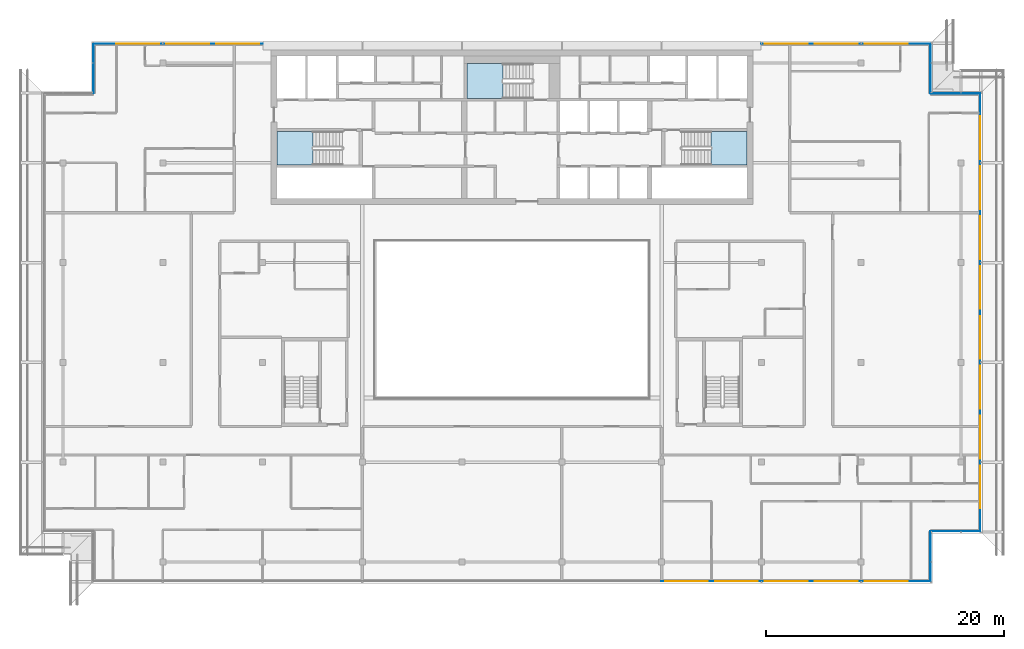
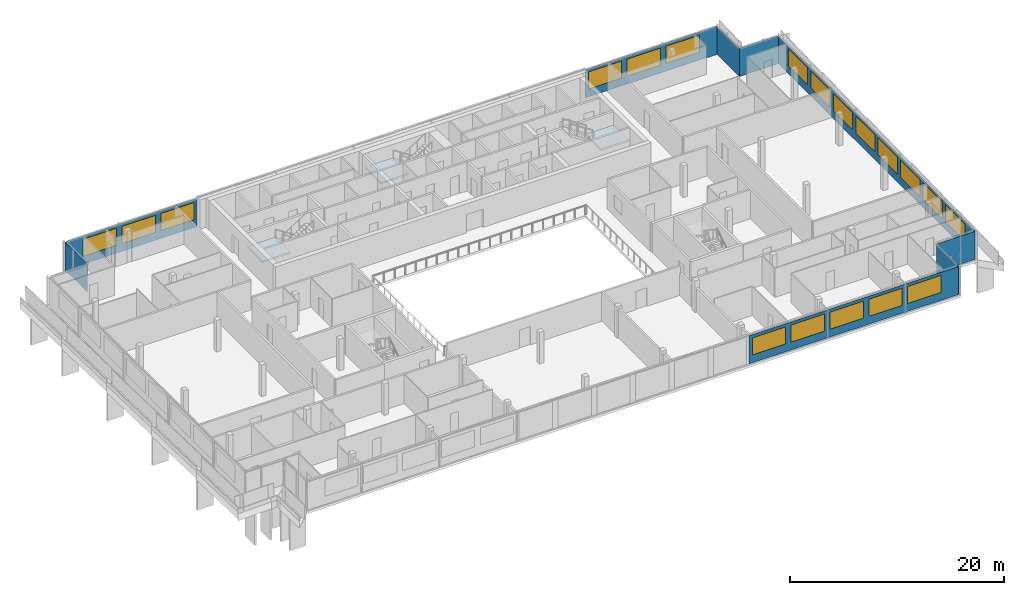
# One storey, part 15 of 27: 19 windows, 9 plates, 3 slabs, 19 openings, 11 elements without a shape of their own.
"""IFC4 building model written with IfcOpenShell, lengths in metres."""

from ifc_helpers import new_model, si_unit, direction, frame, frame_2d, origin, place, context, subcontext, project, spatial, polyline, rectangle, outline, extrude, material, layer, layer_set, type_object, element, fill, aggregate, save


model = new_model("IFC4")

# Units and contexts
model_context = context("Model", 3, precision=1e-05, world=origin(), true_north=direction((0.0, 1.0)))
body_context = subcontext(model_context, "Body", "Model", "MODEL_VIEW")
ifc_project = project(units=[si_unit("LENGTHUNIT", "METRE"), si_unit("AREAUNIT", "SQUARE_METRE"), si_unit("VOLUMEUNIT", "CUBIC_METRE"), si_unit("PLANEANGLEUNIT", "RADIAN"), si_unit("MASSUNIT", "GRAM", prefix="KILO")], contexts=[model_context])

# Site, building, storey
site_placement = place(None, origin())
site = spatial("IfcSite", under=ifc_project, at=site_placement, CompositionType="ELEMENT")
building_placement = place(site_placement, origin())
building = spatial("IfcBuilding", under=site, at=building_placement, Name="Saffron Gate Tower", CompositionType="ELEMENT")
storey_placement = place(building_placement, frame((0.0, 0.0, 267.14990234375)))
storey = spatial("IfcBuildingStorey", under=building, at=storey_placement, Name="L64", CompositionType="ELEMENT", Elevation=267.14990234375)

# Curtain wall, plate, openings, windows
ifc_material_1 = material(Name="Aluminium, bronze anodised", Category="aluminium")
curtain_wall_type_1 = type_object("IfcCurtainWallType", Name="CWS1 curtain wall front facade", PredefinedType="NOTDEFINED", material=ifc_material_1)
curtain_wall_1_placement = place(storey_placement, origin())
curtain_wall_1 = element("IfcCurtainWall", 1, at=curtain_wall_1_placement, inside=storey, type_object=curtain_wall_type_1, Name="CWS1 run 1", PredefinedType="NOTDEFINED")
ifc_material_2 = material(Name="Fritted bronze-tinted laminated glass", Category="glass")
ifc_layer_1 = layer(ifc_material_2, 0.028076171875)
ifc_layer_set_1 = layer_set([ifc_layer_1], Name="CWS1 fixed glass")
plate_type_1 = type_object("IfcPlateType", Name="CWS1 fixed glass", PredefinedType="CURTAIN_PANEL", material=ifc_layer_set_1)
plate_1_placement = place(storey_placement, frame((100.169921875, 30.174072265625, 0.0), z_axis=(0.0, 0.0, 1.0), x_axis=(1.0, 0.0, 0.0)))
plate_1 = element("IfcPlate", 2, at=plate_1_placement, type_object=plate_type_1, Name="CWS1 glass panel", PredefinedType="CURTAIN_PANEL", context=body_context, shape_type="SweptSolid", body=[
    extrude(rectangle(XDim=22.64208984375, YDim=0.028076171875, at=frame_2d((11.321044921875, 0.0))), origin(), (0.0, 0.0, 1.0), 3.2001953125),
])
opening_1_placement = place(plate_1_placement, frame((0.330078125, 0.0, 0.89990234375)))
opening_1 = element("IfcOpeningElement", 3, at=opening_1_placement, cuts=plate_1, Name="Opening W1", PredefinedType="OPENING", context=body_context, shape_type="SweptSolid", body=[
    extrude(rectangle(XDim=3.60009765625, YDim=1.949951171875, at=frame_2d((1.800048828125, 0.97509765625))), frame((0.0, 0.02392578125, 0.0), z_axis=(0.0, -1.0, 0.0), x_axis=(1.0, 0.0, 0.0)), (0.0, 0.0, 1.0), 0.048095703125),
])
opening_2_placement = place(plate_1_placement, frame((4.530029296875, 0.0, 0.89990234375)))
opening_2 = element("IfcOpeningElement", 4, at=opening_2_placement, cuts=plate_1, Name="Opening W1", PredefinedType="OPENING", context=body_context, shape_type="SweptSolid", body=[
    extrude(rectangle(XDim=3.60009765625, YDim=1.949951171875, at=frame_2d((1.800048828125, 0.97509765625))), frame((0.0, 0.02392578125, 0.0), z_axis=(0.0, -1.0, 0.0), x_axis=(1.0, 0.0, 0.0)), (0.0, 0.0, 1.0), 0.048095703125),
])
opening_3_placement = place(plate_1_placement, frame((8.72998046875, 0.0, 0.89990234375)))
opening_3 = element("IfcOpeningElement", 5, at=opening_3_placement, cuts=plate_1, Name="Opening W1", PredefinedType="OPENING", context=body_context, shape_type="SweptSolid", body=[
    extrude(rectangle(XDim=3.60009765625, YDim=1.949951171875, at=frame_2d((1.800048828125, 0.97509765625))), frame((0.0, 0.02392578125, 0.0), z_axis=(0.0, -1.0, 0.0), x_axis=(1.0, 0.0, 0.0)), (0.0, 0.0, 1.0), 0.048095703125),
])
opening_4_placement = place(plate_1_placement, frame((12.929931640625, 0.0, 0.89990234375)))
opening_4 = element("IfcOpeningElement", 6, at=opening_4_placement, cuts=plate_1, Name="Opening W1", PredefinedType="OPENING", context=body_context, shape_type="SweptSolid", body=[
    extrude(rectangle(XDim=3.60009765625, YDim=1.949951171875, at=frame_2d((1.800048828125, 0.97509765625))), frame((0.0, 0.02392578125, 0.0), z_axis=(0.0, -1.0, 0.0), x_axis=(1.0, 0.0, 0.0)), (0.0, 0.0, 1.0), 0.048095703125),
])
opening_5_placement = place(plate_1_placement, frame((17.1298828125, 0.0, 0.89990234375)))
opening_5 = element("IfcOpeningElement", 7, at=opening_5_placement, cuts=plate_1, Name="Opening W1", PredefinedType="OPENING", context=body_context, shape_type="SweptSolid", body=[
    extrude(rectangle(XDim=3.60009765625, YDim=1.949951171875, at=frame_2d((1.800048828125, 0.97509765625))), frame((0.0, 0.02392578125, 0.0), z_axis=(0.0, -1.0, 0.0), x_axis=(1.0, 0.0, 0.0)), (0.0, 0.0, 1.0), 0.048095703125),
])
ifc_material_3 = material(Name="Fritted bronze-tinted laminated glass in bronze frame", Category="glass")
ifc_layer_2 = layer(ifc_material_3, 0.06005859375)
ifc_layer_set_2 = layer_set([ifc_layer_2], Name="W1 operable panel 3600x1950")
window_type = type_object("IfcWindowType", Name="W1 operable panel 3600x1950", PartitioningType="DOUBLE_PANEL_HORIZONTAL", PredefinedType="WINDOW", material=ifc_layer_set_2)
window_1_placement = place(opening_1_placement, origin())
window_1 = element("IfcWindow", 8, at=window_1_placement, type_object=window_type, Name="W1 operable panel", OverallHeight=1.949951171875, OverallWidth=3.60009765625, PartitioningType="SINGLE_PANEL", PredefinedType="WINDOW", context=body_context, shape_type="SweptSolid", body=[
    extrude(rectangle(XDim=3.60009765625, YDim=1.949951171875, at=frame_2d((1.800048828125, 0.97509765625))), frame((0.0, 0.013671875, 0.0), z_axis=(0.0, -1.0, 0.0), x_axis=(1.0, 0.0, 0.0)), (0.0, 0.0, 1.0), 0.027587890625),
])
fill(opening_1, window_1)
window_2_placement = place(opening_2_placement, origin())
window_2 = element("IfcWindow", 9, at=window_2_placement, type_object=window_type, Name="W1 operable panel", OverallHeight=1.949951171875, OverallWidth=3.60009765625, PartitioningType="SINGLE_PANEL", PredefinedType="WINDOW", context=body_context, shape_type="SweptSolid", body=[
    extrude(rectangle(XDim=3.60009765625, YDim=1.949951171875, at=frame_2d((1.800048828125, 0.97509765625))), frame((0.0, 0.013671875, 0.0), z_axis=(0.0, -1.0, 0.0), x_axis=(1.0, 0.0, 0.0)), (0.0, 0.0, 1.0), 0.027587890625),
])
fill(opening_2, window_2)
window_3_placement = place(opening_3_placement, origin())
window_3 = element("IfcWindow", 10, at=window_3_placement, type_object=window_type, Name="W1 operable panel", OverallHeight=1.949951171875, OverallWidth=3.60009765625, PartitioningType="SINGLE_PANEL", PredefinedType="WINDOW", context=body_context, shape_type="SweptSolid", body=[
    extrude(rectangle(XDim=3.60009765625, YDim=1.949951171875, at=frame_2d((1.800048828125, 0.97509765625))), frame((0.0, 0.013671875, 0.0), z_axis=(0.0, -1.0, 0.0), x_axis=(1.0, 0.0, 0.0)), (0.0, 0.0, 1.0), 0.027587890625),
])
fill(opening_3, window_3)
window_4_placement = place(opening_4_placement, origin())
window_4 = element("IfcWindow", 11, at=window_4_placement, type_object=window_type, Name="W1 operable panel", OverallHeight=1.949951171875, OverallWidth=3.60009765625, PartitioningType="SINGLE_PANEL", PredefinedType="WINDOW", context=body_context, shape_type="SweptSolid", body=[
    extrude(rectangle(XDim=3.60009765625, YDim=1.949951171875, at=frame_2d((1.800048828125, 0.97509765625))), frame((0.0, 0.013671875, 0.0), z_axis=(0.0, -1.0, 0.0), x_axis=(1.0, 0.0, 0.0)), (0.0, 0.0, 1.0), 0.027587890625),
])
fill(opening_4, window_4)
window_5_placement = place(opening_5_placement, origin())
window_5 = element("IfcWindow", 12, at=window_5_placement, type_object=window_type, Name="W1 operable panel", OverallHeight=1.949951171875, OverallWidth=3.60009765625, PartitioningType="SINGLE_PANEL", PredefinedType="WINDOW", context=body_context, shape_type="SweptSolid", body=[
    extrude(rectangle(XDim=3.60009765625, YDim=1.949951171875, at=frame_2d((1.800048828125, 0.97509765625))), frame((0.0, 0.013671875, 0.0), z_axis=(0.0, -1.0, 0.0), x_axis=(1.0, 0.0, 0.0)), (0.0, 0.0, 1.0), 0.027587890625),
])
fill(opening_5, window_5)
aggregate(curtain_wall_1, [plate_1, window_1, window_2, window_3, window_4, window_5])

curtain_wall_type_2 = type_object("IfcCurtainWallType", Name="CWS2 curtain wall side facades", PredefinedType="NOTDEFINED", material=ifc_material_1)
curtain_wall_2_placement = place(storey_placement, origin())
curtain_wall_2 = element("IfcCurtainWall", 13, at=curtain_wall_2_placement, inside=storey, type_object=curtain_wall_type_2, Name="CWS2 run 4", PredefinedType="NOTDEFINED")
ifc_layer_3 = layer(ifc_material_2, 0.028076171875)
ifc_layer_set_3 = layer_set([ifc_layer_3], Name="CWS2 fixed glass")
plate_type_2 = type_object("IfcPlateType", Name="CWS2 fixed glass", PredefinedType="CURTAIN_PANEL", material=ifc_layer_set_3)
plate_2_placement = place(storey_placement, frame((127.02587890625, 34.387939453125, 0.0), z_axis=(0.0, 0.0, 1.0), x_axis=(0.0, 1.0, 0.0)))
plate_2 = element("IfcPlate", 14, at=plate_2_placement, type_object=plate_type_2, Name="CWS2 glass panel", PredefinedType="CURTAIN_PANEL", context=body_context, shape_type="SweptSolid", body=[
    extrude(rectangle(XDim=36.823974609375, YDim=0.028076171875, at=frame_2d((18.412109375, 0.0))), origin(), (0.0, 0.0, 1.0), 3.2001953125),
])
opening_6_placement = place(plate_2_placement, frame((1.912109375, 0.0, 0.89990234375)))
opening_6 = element("IfcOpeningElement", 15, at=opening_6_placement, cuts=plate_2, Name="Opening W1", PredefinedType="OPENING", context=body_context, shape_type="SweptSolid", body=[
    extrude(rectangle(XDim=3.60009765625, YDim=1.949951171875, at=frame_2d((1.800048828125, 0.97509765625))), frame((0.0, 0.02392578125, 0.0), z_axis=(0.0, -1.0, 0.0), x_axis=(1.0, 0.0, 0.0)), (0.0, 0.0, 1.0), 0.048095703125),
])
opening_7_placement = place(plate_2_placement, frame((6.112060546875, 0.0, 0.89990234375)))
opening_7 = element("IfcOpeningElement", 16, at=opening_7_placement, cuts=plate_2, Name="Opening W1", PredefinedType="OPENING", context=body_context, shape_type="SweptSolid", body=[
    extrude(rectangle(XDim=3.60009765625, YDim=1.949951171875, at=frame_2d((1.800048828125, 0.97509765625))), frame((0.0, 0.02392578125, 0.0), z_axis=(0.0, -1.0, 0.0), x_axis=(1.0, 0.0, 0.0)), (0.0, 0.0, 1.0), 0.048095703125),
])
opening_8_placement = place(plate_2_placement, frame((10.31201171875, 0.0, 0.89990234375)))
opening_8 = element("IfcOpeningElement", 17, at=opening_8_placement, cuts=plate_2, Name="Opening W1", PredefinedType="OPENING", context=body_context, shape_type="SweptSolid", body=[
    extrude(rectangle(XDim=3.60009765625, YDim=1.949951171875, at=frame_2d((1.800048828125, 0.97509765625))), frame((0.0, 0.02392578125, 0.0), z_axis=(0.0, -1.0, 0.0), x_axis=(1.0, 0.0, 0.0)), (0.0, 0.0, 1.0), 0.048095703125),
])
opening_9_placement = place(plate_2_placement, frame((14.511962890625, 0.0, 0.89990234375)))
opening_9 = element("IfcOpeningElement", 18, at=opening_9_placement, cuts=plate_2, Name="Opening W1", PredefinedType="OPENING", context=body_context, shape_type="SweptSolid", body=[
    extrude(rectangle(XDim=3.60009765625, YDim=1.949951171875, at=frame_2d((1.800048828125, 0.97509765625))), frame((0.0, 0.02392578125, 0.0), z_axis=(0.0, -1.0, 0.0), x_axis=(1.0, 0.0, 0.0)), (0.0, 0.0, 1.0), 0.048095703125),
])
opening_10_placement = place(plate_2_placement, frame((18.7119140625, 0.0, 0.89990234375)))
opening_10 = element("IfcOpeningElement", 19, at=opening_10_placement, cuts=plate_2, Name="Opening W1", PredefinedType="OPENING", context=body_context, shape_type="SweptSolid", body=[
    extrude(rectangle(XDim=3.60009765625, YDim=1.949951171875, at=frame_2d((1.800048828125, 0.97509765625))), frame((0.0, 0.02392578125, 0.0), z_axis=(0.0, -1.0, 0.0), x_axis=(1.0, 0.0, 0.0)), (0.0, 0.0, 1.0), 0.048095703125),
])
opening_11_placement = place(plate_2_placement, frame((22.912109375, 0.0, 0.89990234375)))
opening_11 = element("IfcOpeningElement", 20, at=opening_11_placement, cuts=plate_2, Name="Opening W1", PredefinedType="OPENING", context=body_context, shape_type="SweptSolid", body=[
    extrude(rectangle(XDim=3.60009765625, YDim=1.949951171875, at=frame_2d((1.800048828125, 0.97509765625))), frame((0.0, 0.02392578125, 0.0), z_axis=(0.0, -1.0, 0.0), x_axis=(1.0, 0.0, 0.0)), (0.0, 0.0, 1.0), 0.048095703125),
])
opening_12_placement = place(plate_2_placement, frame((27.112060546875, 0.0, 0.89990234375)))
opening_12 = element("IfcOpeningElement", 21, at=opening_12_placement, cuts=plate_2, Name="Opening W1", PredefinedType="OPENING", context=body_context, shape_type="SweptSolid", body=[
    extrude(rectangle(XDim=3.60009765625, YDim=1.949951171875, at=frame_2d((1.800048828125, 0.97509765625))), frame((0.0, 0.02392578125, 0.0), z_axis=(0.0, -1.0, 0.0), x_axis=(1.0, 0.0, 0.0)), (0.0, 0.0, 1.0), 0.048095703125),
])
opening_13_placement = place(plate_2_placement, frame((31.31201171875, 0.0, 0.89990234375)))
opening_13 = element("IfcOpeningElement", 22, at=opening_13_placement, cuts=plate_2, Name="Opening W1", PredefinedType="OPENING", context=body_context, shape_type="SweptSolid", body=[
    extrude(rectangle(XDim=3.60009765625, YDim=1.949951171875, at=frame_2d((1.800048828125, 0.97509765625))), frame((0.0, 0.02392578125, 0.0), z_axis=(0.0, -1.0, 0.0), x_axis=(1.0, 0.0, 0.0)), (0.0, 0.0, 1.0), 0.048095703125),
])
window_6_placement = place(opening_6_placement, origin())
window_6 = element("IfcWindow", 23, at=window_6_placement, type_object=window_type, Name="W1 operable panel", OverallHeight=1.949951171875, OverallWidth=3.60009765625, PartitioningType="SINGLE_PANEL", PredefinedType="WINDOW", context=body_context, shape_type="SweptSolid", body=[
    extrude(rectangle(XDim=3.60009765625, YDim=1.949951171875, at=frame_2d((1.800048828125, 0.97509765625))), frame((0.0, 0.013671875, 0.0), z_axis=(0.0, -1.0, 0.0), x_axis=(1.0, 0.0, 0.0)), (0.0, 0.0, 1.0), 0.027587890625),
])
fill(opening_6, window_6)
window_7_placement = place(opening_7_placement, origin())
window_7 = element("IfcWindow", 24, at=window_7_placement, type_object=window_type, Name="W1 operable panel", OverallHeight=1.949951171875, OverallWidth=3.60009765625, PartitioningType="SINGLE_PANEL", PredefinedType="WINDOW", context=body_context, shape_type="SweptSolid", body=[
    extrude(rectangle(XDim=3.60009765625, YDim=1.949951171875, at=frame_2d((1.800048828125, 0.97509765625))), frame((0.0, 0.013671875, 0.0), z_axis=(0.0, -1.0, 0.0), x_axis=(1.0, 0.0, 0.0)), (0.0, 0.0, 1.0), 0.027587890625),
])
fill(opening_7, window_7)
window_8_placement = place(opening_8_placement, origin())
window_8 = element("IfcWindow", 25, at=window_8_placement, type_object=window_type, Name="W1 operable panel", OverallHeight=1.949951171875, OverallWidth=3.60009765625, PartitioningType="SINGLE_PANEL", PredefinedType="WINDOW", context=body_context, shape_type="SweptSolid", body=[
    extrude(rectangle(XDim=3.60009765625, YDim=1.949951171875, at=frame_2d((1.800048828125, 0.97509765625))), frame((0.0, 0.013671875, 0.0), z_axis=(0.0, -1.0, 0.0), x_axis=(1.0, 0.0, 0.0)), (0.0, 0.0, 1.0), 0.027587890625),
])
fill(opening_8, window_8)
window_9_placement = place(opening_9_placement, origin())
window_9 = element("IfcWindow", 26, at=window_9_placement, type_object=window_type, Name="W1 operable panel", OverallHeight=1.949951171875, OverallWidth=3.60009765625, PartitioningType="SINGLE_PANEL", PredefinedType="WINDOW", context=body_context, shape_type="SweptSolid", body=[
    extrude(rectangle(XDim=3.60009765625, YDim=1.949951171875, at=frame_2d((1.800048828125, 0.97509765625))), frame((0.0, 0.013671875, 0.0), z_axis=(0.0, -1.0, 0.0), x_axis=(1.0, 0.0, 0.0)), (0.0, 0.0, 1.0), 0.027587890625),
])
fill(opening_9, window_9)
window_10_placement = place(opening_10_placement, origin())
window_10 = element("IfcWindow", 27, at=window_10_placement, type_object=window_type, Name="W1 operable panel", OverallHeight=1.949951171875, OverallWidth=3.60009765625, PartitioningType="SINGLE_PANEL", PredefinedType="WINDOW", context=body_context, shape_type="SweptSolid", body=[
    extrude(rectangle(XDim=3.60009765625, YDim=1.949951171875, at=frame_2d((1.800048828125, 0.97509765625))), frame((0.0, 0.013671875, 0.0), z_axis=(0.0, -1.0, 0.0), x_axis=(1.0, 0.0, 0.0)), (0.0, 0.0, 1.0), 0.027587890625),
])
fill(opening_10, window_10)
window_11_placement = place(opening_11_placement, origin())
window_11 = element("IfcWindow", 28, at=window_11_placement, type_object=window_type, Name="W1 operable panel", OverallHeight=1.949951171875, OverallWidth=3.60009765625, PartitioningType="SINGLE_PANEL", PredefinedType="WINDOW", context=body_context, shape_type="SweptSolid", body=[
    extrude(rectangle(XDim=3.60009765625, YDim=1.949951171875, at=frame_2d((1.800048828125, 0.97509765625))), frame((0.0, 0.013671875, 0.0), z_axis=(0.0, -1.0, 0.0), x_axis=(1.0, 0.0, 0.0)), (0.0, 0.0, 1.0), 0.027587890625),
])
fill(opening_11, window_11)
window_12_placement = place(opening_12_placement, origin())
window_12 = element("IfcWindow", 29, at=window_12_placement, type_object=window_type, Name="W1 operable panel", OverallHeight=1.949951171875, OverallWidth=3.60009765625, PartitioningType="SINGLE_PANEL", PredefinedType="WINDOW", context=body_context, shape_type="SweptSolid", body=[
    extrude(rectangle(XDim=3.60009765625, YDim=1.949951171875, at=frame_2d((1.800048828125, 0.97509765625))), frame((0.0, 0.013671875, 0.0), z_axis=(0.0, -1.0, 0.0), x_axis=(1.0, 0.0, 0.0)), (0.0, 0.0, 1.0), 0.027587890625),
])
fill(opening_12, window_12)
window_13_placement = place(opening_13_placement, origin())
window_13 = element("IfcWindow", 30, at=window_13_placement, type_object=window_type, Name="W1 operable panel", OverallHeight=1.949951171875, OverallWidth=3.60009765625, PartitioningType="SINGLE_PANEL", PredefinedType="WINDOW", context=body_context, shape_type="SweptSolid", body=[
    extrude(rectangle(XDim=3.60009765625, YDim=1.949951171875, at=frame_2d((1.800048828125, 0.97509765625))), frame((0.0, 0.013671875, 0.0), z_axis=(0.0, -1.0, 0.0), x_axis=(1.0, 0.0, 0.0)), (0.0, 0.0, 1.0), 0.027587890625),
])
fill(opening_13, window_13)
aggregate(curtain_wall_2, [plate_2, window_6, window_7, window_8, window_9, window_10, window_11, window_12, window_13])

# Curtain wall, plates, openings, windows
curtain_wall_type_3 = type_object("IfcCurtainWallType", Name="CWS3 curtain wall rear facade", PredefinedType="NOTDEFINED", material=ifc_material_1)
curtain_wall_3_placement = place(storey_placement, origin())
curtain_wall_3 = element("IfcCurtainWall", 31, at=curtain_wall_3_placement, inside=storey, type_object=curtain_wall_type_3, Name="CWS3 run 7", PredefinedType="NOTDEFINED")
ifc_material_4 = material(Name="Fritted grey-tinted laminated glass", Category="glass")
ifc_layer_4 = layer(ifc_material_4, 0.028076171875)
ifc_layer_set_4 = layer_set([ifc_layer_4], Name="CWS3 fixed glass")
plate_type_3 = type_object("IfcPlateType", Name="CWS3 fixed glass", PredefinedType="CURTAIN_PANEL", material=ifc_layer_set_4)
plate_3_placement = place(storey_placement, frame((122.81201171875, 75.426025390625, 0.0), z_axis=(0.0, 0.0, 1.0), x_axis=(-1.0, 0.0, 0.0)))
plate_3 = element("IfcPlate", 32, at=plate_3_placement, type_object=plate_type_3, Name="CWS3 glass panel", PredefinedType="CURTAIN_PANEL", context=body_context, shape_type="SweptSolid", body=[
    extrude(rectangle(XDim=14.2470703125, YDim=0.028076171875, at=frame_2d((7.12353515625, 0.0))), origin(), (0.0, 0.0, 1.0), 3.2001953125),
])
opening_14_placement = place(plate_3_placement, frame((1.912109375, 0.0, 0.89990234375)))
opening_14 = element("IfcOpeningElement", 33, at=opening_14_placement, cuts=plate_3, Name="Opening W1", PredefinedType="OPENING", context=body_context, shape_type="SweptSolid", body=[
    extrude(rectangle(XDim=3.60009765625, YDim=1.949951171875, at=frame_2d((1.800048828125, 0.97509765625))), frame((0.0, 0.02392578125, 0.0), z_axis=(0.0, -1.0, 0.0), x_axis=(1.0, 0.0, 0.0)), (0.0, 0.0, 1.0), 0.048095703125),
])
opening_15_placement = place(plate_3_placement, frame((6.112060546875, 0.0, 0.89990234375)))
opening_15 = element("IfcOpeningElement", 34, at=opening_15_placement, cuts=plate_3, Name="Opening W1", PredefinedType="OPENING", context=body_context, shape_type="SweptSolid", body=[
    extrude(rectangle(XDim=3.60009765625, YDim=1.949951171875, at=frame_2d((1.800048828125, 0.97509765625))), frame((0.0, 0.02392578125, 0.0), z_axis=(0.0, -1.0, 0.0), x_axis=(1.0, 0.0, 0.0)), (0.0, 0.0, 1.0), 0.048095703125),
])
opening_16_placement = place(plate_3_placement, frame((10.31201171875, 0.0, 0.89990234375)))
opening_16 = element("IfcOpeningElement", 35, at=opening_16_placement, cuts=plate_3, Name="Opening W1", PredefinedType="OPENING", context=body_context, shape_type="SweptSolid", body=[
    extrude(rectangle(XDim=3.60009765625, YDim=1.949951171875, at=frame_2d((1.800048828125, 0.97509765625))), frame((0.0, 0.02392578125, 0.0), z_axis=(0.0, -1.0, 0.0), x_axis=(1.0, 0.0, 0.0)), (0.0, 0.0, 1.0), 0.048095703125),
])
window_14_placement = place(opening_14_placement, origin())
window_14 = element("IfcWindow", 36, at=window_14_placement, type_object=window_type, Name="W1 operable panel", OverallHeight=1.949951171875, OverallWidth=3.60009765625, PartitioningType="SINGLE_PANEL", PredefinedType="WINDOW", context=body_context, shape_type="SweptSolid", body=[
    extrude(rectangle(XDim=3.60009765625, YDim=1.949951171875, at=frame_2d((1.800048828125, 0.97509765625))), frame((0.0, 0.013671875, 0.0), z_axis=(0.0, -1.0, 0.0), x_axis=(1.0, 0.0, 0.0)), (0.0, 0.0, 1.0), 0.027587890625),
])
fill(opening_14, window_14)
window_15_placement = place(opening_15_placement, origin())
window_15 = element("IfcWindow", 37, at=window_15_placement, type_object=window_type, Name="W1 operable panel", OverallHeight=1.949951171875, OverallWidth=3.60009765625, PartitioningType="SINGLE_PANEL", PredefinedType="WINDOW", context=body_context, shape_type="SweptSolid", body=[
    extrude(rectangle(XDim=3.60009765625, YDim=1.949951171875, at=frame_2d((1.800048828125, 0.97509765625))), frame((0.0, 0.013671875, 0.0), z_axis=(0.0, -1.0, 0.0), x_axis=(1.0, 0.0, 0.0)), (0.0, 0.0, 1.0), 0.027587890625),
])
fill(opening_15, window_15)
window_16_placement = place(opening_16_placement, origin())
window_16 = element("IfcWindow", 38, at=window_16_placement, type_object=window_type, Name="W1 operable panel", OverallHeight=1.949951171875, OverallWidth=3.60009765625, PartitioningType="SINGLE_PANEL", PredefinedType="WINDOW", context=body_context, shape_type="SweptSolid", body=[
    extrude(rectangle(XDim=3.60009765625, YDim=1.949951171875, at=frame_2d((1.800048828125, 0.97509765625))), frame((0.0, 0.013671875, 0.0), z_axis=(0.0, -1.0, 0.0), x_axis=(1.0, 0.0, 0.0)), (0.0, 0.0, 1.0), 0.027587890625),
])
fill(opening_16, window_16)
plate_4_placement = place(storey_placement, frame((66.635009765625, 75.426025390625, 0.0), z_axis=(0.0, 0.0, 1.0), x_axis=(-1.0, 0.0, 0.0)))
plate_4 = element("IfcPlate", 39, at=plate_4_placement, type_object=plate_type_3, Name="CWS3 glass panel", PredefinedType="CURTAIN_PANEL", context=body_context, shape_type="SweptSolid", body=[
    extrude(rectangle(XDim=14.2470703125, YDim=0.028076171875, at=frame_2d((7.12353515625, 0.0))), origin(), (0.0, 0.0, 1.0), 3.2001953125),
])
opening_17_placement = place(plate_4_placement, frame((0.3349609375, 0.0, 0.89990234375)))
opening_17 = element("IfcOpeningElement", 40, at=opening_17_placement, cuts=plate_4, Name="Opening W1", PredefinedType="OPENING", context=body_context, shape_type="SweptSolid", body=[
    extrude(rectangle(XDim=3.60009765625, YDim=1.949951171875, at=frame_2d((1.800048828125, 0.97509765625))), frame((0.0, 0.02392578125, 0.0), z_axis=(0.0, -1.0, 0.0), x_axis=(1.0, 0.0, 0.0)), (0.0, 0.0, 1.0), 0.048095703125),
])
opening_18_placement = place(plate_4_placement, frame((4.534912109375, 0.0, 0.89990234375)))
opening_18 = element("IfcOpeningElement", 41, at=opening_18_placement, cuts=plate_4, Name="Opening W1", PredefinedType="OPENING", context=body_context, shape_type="SweptSolid", body=[
    extrude(rectangle(XDim=3.60009765625, YDim=1.949951171875, at=frame_2d((1.800048828125, 0.97509765625))), frame((0.0, 0.02392578125, 0.0), z_axis=(0.0, -1.0, 0.0), x_axis=(1.0, 0.0, 0.0)), (0.0, 0.0, 1.0), 0.048095703125),
])
opening_19_placement = place(plate_4_placement, frame((8.735107421875, 0.0, 0.89990234375)))
opening_19 = element("IfcOpeningElement", 42, at=opening_19_placement, cuts=plate_4, Name="Opening W1", PredefinedType="OPENING", context=body_context, shape_type="SweptSolid", body=[
    extrude(rectangle(XDim=3.60009765625, YDim=1.949951171875, at=frame_2d((1.800048828125, 0.97509765625))), frame((0.0, 0.02392578125, 0.0), z_axis=(0.0, -1.0, 0.0), x_axis=(1.0, 0.0, 0.0)), (0.0, 0.0, 1.0), 0.048095703125),
])
window_17_placement = place(opening_17_placement, origin())
window_17 = element("IfcWindow", 43, at=window_17_placement, type_object=window_type, Name="W1 operable panel", OverallHeight=1.949951171875, OverallWidth=3.60009765625, PartitioningType="SINGLE_PANEL", PredefinedType="WINDOW", context=body_context, shape_type="SweptSolid", body=[
    extrude(rectangle(XDim=3.60009765625, YDim=1.949951171875, at=frame_2d((1.800048828125, 0.97509765625))), frame((0.0, 0.013671875, 0.0), z_axis=(0.0, -1.0, 0.0), x_axis=(1.0, 0.0, 0.0)), (0.0, 0.0, 1.0), 0.027587890625),
])
fill(opening_17, window_17)
window_18_placement = place(opening_18_placement, origin())
window_18 = element("IfcWindow", 44, at=window_18_placement, type_object=window_type, Name="W1 operable panel", OverallHeight=1.949951171875, OverallWidth=3.60009765625, PartitioningType="SINGLE_PANEL", PredefinedType="WINDOW", context=body_context, shape_type="SweptSolid", body=[
    extrude(rectangle(XDim=3.60009765625, YDim=1.949951171875, at=frame_2d((1.800048828125, 0.97509765625))), frame((0.0, 0.013671875, 0.0), z_axis=(0.0, -1.0, 0.0), x_axis=(1.0, 0.0, 0.0)), (0.0, 0.0, 1.0), 0.027587890625),
])
fill(opening_18, window_18)
window_19_placement = place(opening_19_placement, origin())
window_19 = element("IfcWindow", 45, at=window_19_placement, type_object=window_type, Name="W1 operable panel", OverallHeight=1.949951171875, OverallWidth=3.60009765625, PartitioningType="SINGLE_PANEL", PredefinedType="WINDOW", context=body_context, shape_type="SweptSolid", body=[
    extrude(rectangle(XDim=3.60009765625, YDim=1.949951171875, at=frame_2d((1.800048828125, 0.97509765625))), frame((0.0, 0.013671875, 0.0), z_axis=(0.0, -1.0, 0.0), x_axis=(1.0, 0.0, 0.0)), (0.0, 0.0, 1.0), 0.027587890625),
])
fill(opening_19, window_19)
aggregate(curtain_wall_3, [plate_3, plate_4, window_14, window_15, window_16, window_17, window_18, window_19])

# Curtain wall, plate
curtain_wall_type_4 = type_object("IfcCurtainWallType", Name="CWS4 curtain wall corner returns", PredefinedType="NOTDEFINED", material=ifc_material_1)
curtain_wall_4_placement = place(storey_placement, origin())
curtain_wall_4 = element("IfcCurtainWall", 46, at=curtain_wall_4_placement, inside=storey, type_object=curtain_wall_type_4, Name="CWS4 run 2", PredefinedType="NOTDEFINED")
ifc_layer_5 = layer(ifc_material_2, 0.028076171875)
ifc_layer_set_5 = layer_set([ifc_layer_5], Name="CWS4 fixed glass")
plate_type_4 = type_object("IfcPlateType", Name="CWS4 fixed glass", PredefinedType="CURTAIN_PANEL", material=ifc_layer_set_5)
plate_5_placement = place(storey_placement, frame((122.825927734375, 30.18798828125, 0.0), z_axis=(0.0, 0.0, 1.0), x_axis=(0.0, 1.0, 0.0)))
plate_5 = element("IfcPlate", 47, at=plate_5_placement, type_object=plate_type_4, Name="CWS4 glass panel", PredefinedType="CURTAIN_PANEL", context=body_context, shape_type="SweptSolid", body=[
    extrude(rectangle(XDim=4.172119140625, YDim=0.028076171875, at=frame_2d((2.0859375, 0.0))), origin(), (0.0, 0.0, 1.0), 3.2001953125),
])
aggregate(curtain_wall_4, [plate_5])

curtain_wall_5_placement = place(storey_placement, origin())
curtain_wall_5 = element("IfcCurtainWall", 48, at=curtain_wall_5_placement, inside=storey, type_object=curtain_wall_type_4, Name="CWS4 run 3", PredefinedType="NOTDEFINED")
plate_6_placement = place(storey_placement, frame((122.840087890625, 34.3740234375, 0.0), z_axis=(0.0, 0.0, 1.0), x_axis=(1.0, 0.0, 0.0)))
plate_6 = element("IfcPlate", 49, at=plate_6_placement, type_object=plate_type_4, Name="CWS4 glass panel", PredefinedType="CURTAIN_PANEL", context=body_context, shape_type="SweptSolid", body=[
    extrude(rectangle(XDim=4.171875, YDim=0.028076171875, at=frame_2d((2.0859375, 0.0))), origin(), (0.0, 0.0, 1.0), 3.2001953125),
])
aggregate(curtain_wall_5, [plate_6])

curtain_wall_6_placement = place(storey_placement, origin())
curtain_wall_6 = element("IfcCurtainWall", 50, at=curtain_wall_6_placement, inside=storey, type_object=curtain_wall_type_4, Name="CWS4 run 5", PredefinedType="NOTDEFINED")
plate_7_placement = place(storey_placement, frame((127.011962890625, 71.22607421875, 0.0), z_axis=(0.0, 0.0, 1.0), x_axis=(-1.0, 0.0, 0.0)))
plate_7 = element("IfcPlate", 51, at=plate_7_placement, type_object=plate_type_4, Name="CWS4 glass panel", PredefinedType="CURTAIN_PANEL", context=body_context, shape_type="SweptSolid", body=[
    extrude(rectangle(XDim=4.171875, YDim=0.028076171875, at=frame_2d((2.0859375, 0.0))), origin(), (0.0, 0.0, 1.0), 3.2001953125),
])
aggregate(curtain_wall_6, [plate_7])

curtain_wall_7_placement = place(storey_placement, origin())
curtain_wall_7 = element("IfcCurtainWall", 52, at=curtain_wall_7_placement, inside=storey, type_object=curtain_wall_type_4, Name="CWS4 run 6", PredefinedType="NOTDEFINED")
plate_8_placement = place(storey_placement, frame((122.825927734375, 71.239990234375, 0.0), z_axis=(0.0, 0.0, 1.0), x_axis=(0.0, 1.0, 0.0)))
plate_8 = element("IfcPlate", 53, at=plate_8_placement, type_object=plate_type_4, Name="CWS4 glass panel", PredefinedType="CURTAIN_PANEL", context=body_context, shape_type="SweptSolid", body=[
    extrude(rectangle(XDim=4.172119140625, YDim=0.028076171875, at=frame_2d((2.0859375, 0.0))), origin(), (0.0, 0.0, 1.0), 3.2001953125),
])
aggregate(curtain_wall_7, [plate_8])

curtain_wall_8_placement = place(storey_placement, origin())
curtain_wall_8 = element("IfcCurtainWall", 54, at=curtain_wall_8_placement, inside=storey, type_object=curtain_wall_type_4, Name="CWS4 run 8", PredefinedType="NOTDEFINED")
plate_9_placement = place(storey_placement, frame((52.3740234375, 75.412109375, 0.0), z_axis=(0.0, 0.0, 1.0), x_axis=(0.0, -1.0, 0.0)))
plate_9 = element("IfcPlate", 55, at=plate_9_placement, type_object=plate_type_4, Name="CWS4 glass panel", PredefinedType="CURTAIN_PANEL", context=body_context, shape_type="SweptSolid", body=[
    extrude(rectangle(XDim=4.172119140625, YDim=0.028076171875, at=frame_2d((2.0859375, 0.0))), origin(), (0.0, 0.0, 1.0), 3.2001953125),
])
aggregate(curtain_wall_8, [plate_9])

# Stair, slab
ifc_material_5 = material(Name="Concrete C40", Category="concrete")
stair_type = type_object("IfcStairType", Name="ST7 Stair 1350 wide, 20 risers of 180", PredefinedType="HALF_TURN_STAIR", material=ifc_material_5)
stair_1_placement = place(storey_placement, origin())
stair_1 = element("IfcStair", 56, at=stair_1_placement, inside=storey, type_object=stair_type, Name="L64 Exit stair A", PredefinedType="HALF_TURN_STAIR")
ifc_layer_6 = layer(ifc_material_5, 0.199951171875)
ifc_layer_set_6 = layer_set([ifc_layer_6], Name="SL1 Stair landing 200")
slab_type = type_object("IfcSlabType", Name="SL1 Stair landing 200", PredefinedType="LANDING", material=ifc_layer_set_6)
slab_1_placement = place(storey_placement, frame((0.0, 0.0, 1.60009765625)))
slab_1 = element("IfcSlab", 57, at=slab_1_placement, type_object=slab_type, Name="ST-A landing 1", PredefinedType="LANDING", context=body_context, shape_type="SweptSolid", body=[
    extrude(outline(polyline([(70.830078125, 68.050048828125), (67.800048828125, 68.050048828125), (67.800048828125, 65.199951171875), (70.830078125, 65.199951171875), (70.830078125, 68.050048828125)])), origin(), (0.0, 0.0, 1.0), 0.199951171875),
])
aggregate(stair_1, [slab_1])

stair_2_placement = place(storey_placement, origin())
stair_2 = element("IfcStair", 58, at=stair_2_placement, inside=storey, type_object=stair_type, Name="L64 Exit stair B", PredefinedType="HALF_TURN_STAIR")
slab_2_placement = place(storey_placement, frame((0.0, 0.0, 1.60009765625)))
slab_2 = element("IfcSlab", 59, at=slab_2_placement, type_object=slab_type, Name="ST-B landing 1", PredefinedType="LANDING", context=body_context, shape_type="SweptSolid", body=[
    extrude(outline(polyline([(104.3701171875, 65.199951171875), (107.39990234375, 65.199951171875), (107.39990234375, 68.050048828125), (104.3701171875, 68.050048828125), (104.3701171875, 65.199951171875)])), origin(), (0.0, 0.0, 1.0), 0.199951171875),
])
aggregate(stair_2, [slab_2])

stair_3_placement = place(storey_placement, origin())
stair_3 = element("IfcStair", 60, at=stair_3_placement, inside=storey, type_object=stair_type, Name="L64 Exit stair C", PredefinedType="HALF_TURN_STAIR")
slab_3_placement = place(storey_placement, frame((0.0, 0.0, 1.60009765625)))
slab_3 = element("IfcSlab", 61, at=slab_3_placement, type_object=slab_type, Name="ST-C landing 1", PredefinedType="LANDING", context=body_context, shape_type="SweptSolid", body=[
    extrude(outline(polyline([(86.830078125, 73.75), (83.800048828125, 73.75), (83.800048828125, 70.800048828125), (86.830078125, 70.800048828125), (86.830078125, 73.75)])), origin(), (0.0, 0.0, 1.0), 0.199951171875),
])
aggregate(stair_3, [slab_3])

save(model, "model.ifc")
